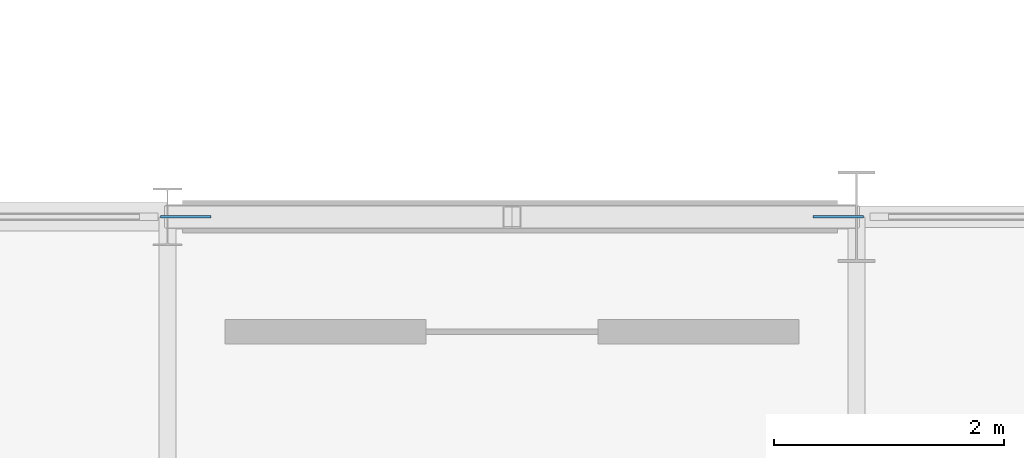
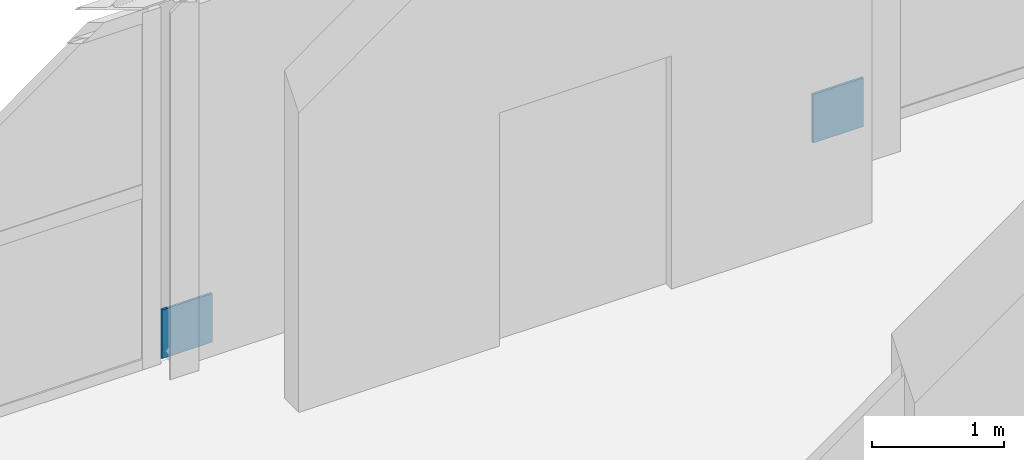
# One storey, part 70 of 83: 2 discrete accessories.
"""IFC4 building model written with IfcOpenShell, lengths in metres."""

from ifc_helpers import new_model, si_unit, direction, frame, origin, origin_2d, place, context, subcontext, project, spatial, rectangle, extrude, material, layer, layer_set, type_object, element, save


model = new_model("IFC4")

# Units and contexts
model_context = context("Model", 3, precision=1e-05, world=origin(), true_north=direction((0.0, 1.0)))
body_context = subcontext(model_context, "Body", "Model", "MODEL_VIEW")
ifc_project = project(units=[si_unit("LENGTHUNIT", "METRE"), si_unit("AREAUNIT", "SQUARE_METRE"), si_unit("VOLUMEUNIT", "CUBIC_METRE"), si_unit("PLANEANGLEUNIT", "RADIAN"), si_unit("MASSUNIT", "GRAM", prefix="KILO")], contexts=[model_context])

# Site, building, storey
site_placement = place(None, origin())
site = spatial("IfcSite", under=ifc_project, at=site_placement, CompositionType="ELEMENT")
building_placement = place(site_placement, origin())
building = spatial("IfcBuilding", under=site, at=building_placement, Name="Varnakota Square Police Headquarters", CompositionType="ELEMENT")
storey_placement = place(building_placement, frame((0.0, 0.0, 18.0)))
storey = spatial("IfcBuildingStorey", under=building, at=storey_placement, Name="L04", CompositionType="ELEMENT", Elevation=18.0)

# Discrete accessories
ifc_material = material(Name="Steel IS 2062 Grade 350", Category="steel")
ifc_layer = layer(ifc_material, 0.64990234375, Name="Steel IS 2062 Grade 350")
ifc_layer_set = layer_set([ifc_layer], Name="Steel IS 2062 Grade 350")
discrete_accessory_type = type_object("IfcDiscreteAccessoryType", Name="ACC-EMB-350", PredefinedType="BRACKET", material=ifc_layer_set)
for number, where, z_axis, x_axis, name in (
    (1, (126.159912109375, 15.0, 0.02490234375), (0.0, 0.0, 1.0), (1.0, 0.0, 0.0), "Brace gusset connection plate BF1 L04 L"),
    (2, (131.840087890625, 15.0, 0.02490234375), (0.0, 0.0, 1.0), (1.0, 0.0, 0.0), "Brace gusset connection plate BF1 L04 R"),
):
    element("IfcDiscreteAccessory", number, at=place(storey_placement, frame(where, z_axis=z_axis, x_axis=x_axis)), inside=storey, type_object=discrete_accessory_type, Name=name, PredefinedType="BRACKET", context=body_context, shape_type="SweptSolid", body=[
        extrude(rectangle(XDim=0.43994140625, YDim=0.02001953125, at=origin_2d()), origin(), (0.0, 0.0, 1.0), 0.449951171875),
    ])

save(model, "model.ifc")
